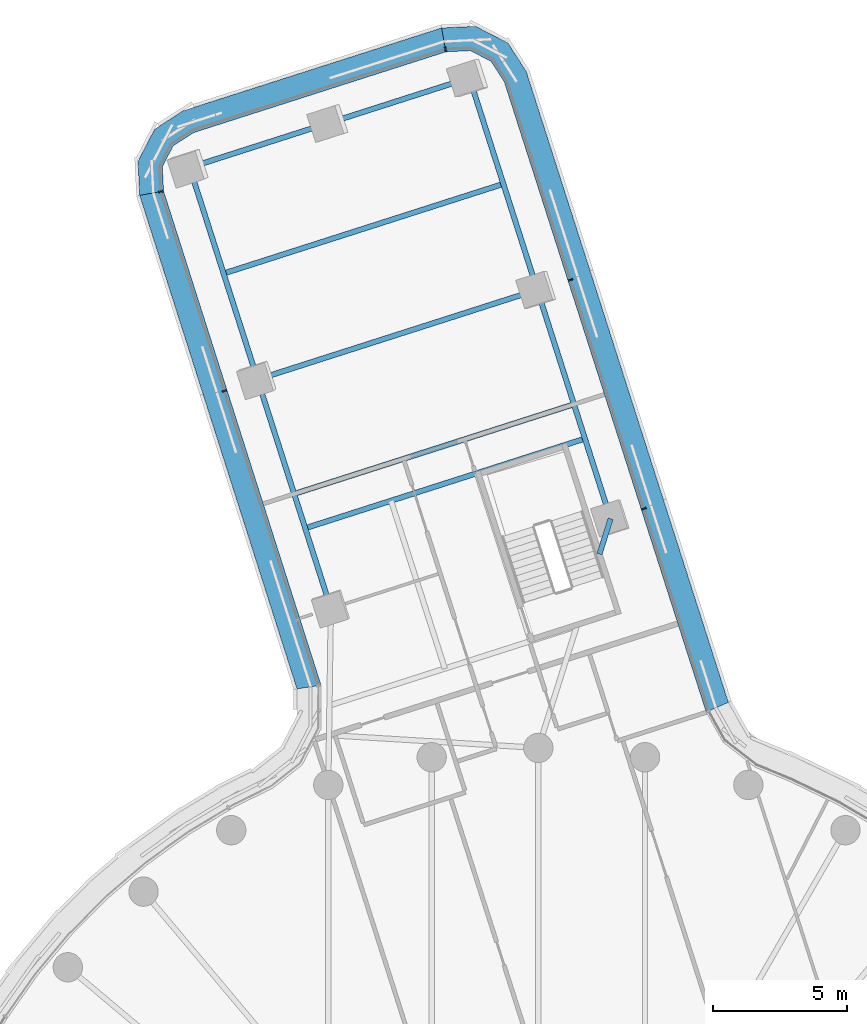
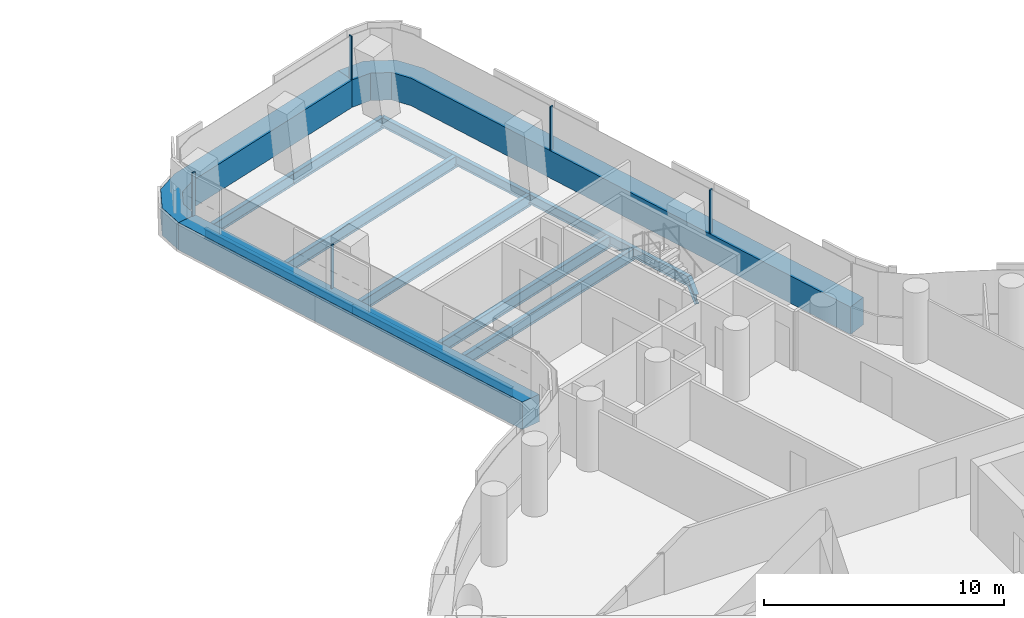
# One storey, part 15 of 30: 11 beams, 8 members, 3 elements without a shape of their own.
"""IFC4 building model written with IfcOpenShell, lengths in metres."""

from ifc_helpers import new_model, si_unit, direction, frame, origin, origin_2d, place, context, subcontext, project, spatial, polyline, rectangle, i_section, outline, extrude, material, layer, layer_set, material_profile, profile_set, type_object, element, aggregate, save


model = new_model("IFC4")

# Units and contexts
model_context = context("Model", 3, precision=1e-05, world=origin(), true_north=direction((0.0, 1.0)))
body_context = subcontext(model_context, "Body", "Model", "MODEL_VIEW")
ifc_project = project(units=[si_unit("LENGTHUNIT", "METRE"), si_unit("AREAUNIT", "SQUARE_METRE"), si_unit("VOLUMEUNIT", "CUBIC_METRE"), si_unit("PLANEANGLEUNIT", "RADIAN"), si_unit("MASSUNIT", "GRAM", prefix="KILO")], contexts=[model_context])

# Site, building, storey
site_placement = place(None, origin())
site = spatial("IfcSite", under=ifc_project, at=site_placement, CompositionType="ELEMENT")
building_placement = place(site_placement, origin())
building = spatial("IfcBuilding", under=site, at=building_placement, Name="Tamarind Cross Interchange Tower", CompositionType="ELEMENT")
storey_placement = place(building_placement, frame((0.0, 0.0, 98.5)))
storey = spatial("IfcBuildingStorey", under=building, at=storey_placement, Name="L23", CompositionType="ELEMENT", Elevation=98.5)

# Beams
ifc_material_1 = material(Name="Steel Q355B", Category="steel")
ifc_material_profile_1 = material_profile(ifc_material_1, i_section(OverallWidth=0.198974609375, OverallDepth=0.49609375, WebThickness=0.009033203125, FlangeThickness=0.013916015625, FilletRadius=0.012939453125, at=origin_2d()), Name="HN 496x199x9x14")
ifc_profile_set_1 = profile_set([ifc_material_profile_1], Name="Steel Q355B")
beam_type_1 = type_object("IfcBeamType", Name="Composite beam HN 496x199x9x14 Q355B", PredefinedType="BEAM", material=ifc_profile_set_1)
beam_1_placement = place(storey_placement, frame((-2.581298828125, 48.087890625, -0.387939453125), z_axis=(0.305059586692, -0.952333265495, 0.0), x_axis=(0.952333265495, 0.305059586692, 0.0)))
element("IfcBeam", 1, at=beam_1_placement, inside=storey, type_object=beam_type_1, Name="Beam N-edgeem5", PredefinedType="BEAM", context=body_context, shape_type="SweptSolid", body=[
    extrude(i_section(OverallWidth=0.198974609375, OverallDepth=0.49609375, WebThickness=0.009033203125, FlangeThickness=0.013916015625, FilletRadius=0.012939453125, at=origin_2d()), origin(), (0.0, 0.0, 1.0), 8.33203125),
])
beam_2_placement = place(storey_placement, frame((-0.03955078125, 40.153076171875, -0.387939453125), z_axis=(0.305048367314, -0.952336859309, 0.0), x_axis=(0.952336859309, 0.305048367314, 0.0)))
element("IfcBeam", 2, at=beam_2_placement, inside=storey, type_object=beam_type_1, Name="Beam N-edgeem6", PredefinedType="BEAM", context=body_context, shape_type="SweptSolid", body=[
    extrude(i_section(OverallWidth=0.198974609375, OverallDepth=0.49609375, WebThickness=0.009033203125, FlangeThickness=0.013916015625, FilletRadius=0.012939453125, at=origin_2d()), origin(), (0.0, 0.0, 1.0), 8.999755859375),
])
beam_3_placement = place(storey_placement, frame((-13.05712890625, 44.732421875, -0.387939453125), z_axis=(0.305059586692, -0.952333265495, 0.0), x_axis=(0.952333265495, 0.305059586692, 0.0)))
element("IfcBeam", 3, at=beam_3_placement, inside=storey, type_object=beam_type_1, Name="Beam N-edgeep2", PredefinedType="BEAM", context=body_context, shape_type="SweptSolid", body=[
    extrude(i_section(OverallWidth=0.198974609375, OverallDepth=0.49609375, WebThickness=0.009033203125, FlangeThickness=0.013916015625, FilletRadius=0.012939453125, at=origin_2d()), origin(), (0.0, 0.0, 1.0), 8.33203125),
])
beam_4_placement = place(storey_placement, frame((-10.515380859375, 36.797607421875, -0.387939453125), z_axis=(0.305065089063, -0.95233150291, 0.0), x_axis=(0.95233150291, 0.305065089063, 0.0)))
element("IfcBeam", 4, at=beam_4_placement, inside=storey, type_object=beam_type_1, Name="Beam N-edgeep3", PredefinedType="BEAM", context=body_context, shape_type="SweptSolid", body=[
    extrude(i_section(OverallWidth=0.198974609375, OverallDepth=0.49609375, WebThickness=0.009033203125, FlangeThickness=0.013916015625, FilletRadius=0.012939453125, at=origin_2d()), origin(), (0.0, 0.0, 1.0), 9.0),
])
beam_5_placement = place(storey_placement, frame((2.705810546875, 31.582275390625, -0.387939453125), z_axis=(-0.300701370295, -0.953718347261, 0.0), x_axis=(0.953718347261, -0.300701370295, 0.0)))
element("IfcBeam", 5, at=beam_5_placement, inside=storey, type_object=beam_type_1, Name="Beam N-linkemt0", PredefinedType="BEAM", context=body_context, shape_type="SweptSolid", body=[
    extrude(i_section(OverallWidth=0.198974609375, OverallDepth=0.49609375, WebThickness=0.009033203125, FlangeThickness=0.013916015625, FilletRadius=0.012939453125, at=origin_2d()), origin(), (0.0, 0.0, 1.0), 1.385986328125),
])
ifc_material_profile_2 = material_profile(ifc_material_1, i_section(OverallWidth=0.199951171875, OverallDepth=0.60009765625, WebThickness=0.010986328125, FlangeThickness=0.01708984375, FilletRadius=0.012939453125, at=origin_2d()), Name="HN 600x200x11x17")
ifc_profile_set_2 = profile_set([ifc_material_profile_2], Name="Steel Q355B")
beam_type_2 = type_object("IfcBeamType", Name="Composite beam HN 600x200x11x17 Q355B", PredefinedType="BEAM", material=ifc_profile_set_2)
beam_6_placement = place(storey_placement, frame((-2.581298828125, 48.087890625, -0.43994140625), z_axis=(-0.952337519773, -0.305046305392, 0.0), x_axis=(0.305046305392, -0.952337519773, 0.0)))
element("IfcBeam", 6, at=beam_6_placement, inside=storey, type_object=beam_type_2, Name="Beam N-tip0", PredefinedType="BEAM", context=body_context, shape_type="SweptSolid", body=[
    extrude(i_section(OverallWidth=0.199951171875, OverallDepth=0.60009765625, WebThickness=0.010986328125, FlangeThickness=0.01708984375, FilletRadius=0.012939453125, at=origin_2d()), origin(), (0.0, 0.0, 1.0), 5.5),
])
beam_7_placement = place(storey_placement, frame((-7.819091796875, 46.41015625, -0.43994140625), z_axis=(-0.95234165012, -0.305033410376, 0.0), x_axis=(0.305033410376, -0.95234165012, 0.0)))
element("IfcBeam", 7, at=beam_7_placement, inside=storey, type_object=beam_type_2, Name="Beam N-tip1", PredefinedType="BEAM", context=body_context, shape_type="SweptSolid", body=[
    extrude(i_section(OverallWidth=0.199951171875, OverallDepth=0.60009765625, WebThickness=0.010986328125, FlangeThickness=0.01708984375, FilletRadius=0.012939453125, at=origin_2d()), origin(), (0.0, 0.0, 1.0), 5.500244140625),
])
for number, where, z_axis, x_axis, name in (
    (8, (1.744873046875, 34.58203125, -0.43994140625), (-0.952331071837, -0.305066434754, 0.0), (0.305066434754, -0.952331071837, 0.0), "Beam N-x334"),
    (9, (-0.03955078125, 40.153076171875, -0.43994140625), (-0.952339585012, -0.305039857755, 0.0), (0.305039857755, -0.952339585012, 0.0), "Beam N-x393"),
    (10, (1.3330078125, 35.86767578125, -0.43994140625), (-0.952331071837, -0.305066434754, 0.0), (0.305066434754, -0.952331071837, 0.0), "Beam N-x348"),
    (11, (-1.310546875, 44.12060546875, -0.43994140625), (-0.952331071837, -0.305066434754, 0.0), (0.305066434754, -0.952331071837, 0.0), "Beam N-x435"),
):
    element("IfcBeam", number, at=place(storey_placement, frame(where, z_axis=z_axis, x_axis=x_axis)), inside=storey, type_object=beam_type_2, Name=name, PredefinedType="BEAM", context=body_context, shape_type="SweptSolid", body=[
        extrude(i_section(OverallWidth=0.199951171875, OverallDepth=0.60009765625, WebThickness=0.010986328125, FlangeThickness=0.01708984375, FilletRadius=0.012939453125, at=origin_2d()), origin(), (0.0, 0.0, 1.0), 11.0),
    ])

# Curtain wall, member
ifc_material_2 = material(Name="Aluminium 6063-T6", Category="aluminium")
ifc_layer = layer(ifc_material_2, 0.159912109375)
ifc_layer_set = layer_set([ifc_layer], Name="Aluminium 6063-T6")
curtain_wall_type = type_object("IfcCurtainWallType", Name="Office curtain wall, 9.0 m bays", PredefinedType="NOTDEFINED", material=ifc_layer_set)
curtain_wall_1_placement = place(storey_placement, origin())
curtain_wall_1 = element("IfcCurtainWall", 12, at=curtain_wall_1_placement, inside=storey, type_object=curtain_wall_type, Name="CWS-L23-03", PredefinedType="NOTDEFINED")
ifc_material_3 = material(Name="Aluminium and insulated spandrel panel", Category="aluminium")
member_type_1 = type_object("IfcMemberType", Name="Floor-edge blade transom", PredefinedType="USERDEFINED", material=ifc_material_3)
member_1_placement = place(storey_placement, origin())
member_1 = element("IfcMember", 13, at=member_1_placement, type_object=member_type_1, Name="CWT-L23-03", ObjectType="TRANSOM", PredefinedType="USERDEFINED", context=body_context, shape_type="SweptSolid", body=[
    extrude(outline(polyline([(6.284912109375, 24.342529296875), (-1.27392578125, 47.940185546875), (-1.769287109375, 48.7099609375), (-2.546875, 49.1103515625), (-3.461181640625, 49.066162109375), (-3.623046875, 49.95947265625), (-2.349365234375, 50.020751953125), (-1.14306640625, 49.39990234375), (-0.453125, 48.32763671875), (7.1142578125, 24.7041015625), (6.284912109375, 24.342529296875)])), origin(), (0.0, 0.0, 1.0), 1.39990234375),
])

curtain_wall_2_placement = place(storey_placement, origin())
curtain_wall_2 = element("IfcCurtainWall", 14, at=curtain_wall_2_placement, inside=storey, type_object=curtain_wall_type, Name="CWS-L23-04", PredefinedType="NOTDEFINED")
member_2_placement = place(storey_placement, origin())
member_2 = element("IfcMember", 15, at=member_2_placement, type_object=member_type_1, Name="CWT-L23-04", ObjectType="TRANSOM", PredefinedType="USERDEFINED", context=body_context, shape_type="SweptSolid", body=[
    extrude(outline(polyline([(-3.461181640625, 49.066162109375), (-12.909423828125, 46.039794921875), (-13.67919921875, 45.54443359375), (-14.079345703125, 44.766845703125), (-14.03515625, 43.852294921875), (-14.928466796875, 43.691162109375), (-14.989990234375, 44.96435546875), (-14.368896484375, 46.170654296875), (-13.296630859375, 46.860595703125), (-3.623046875, 49.95947265625), (-3.461181640625, 49.066162109375)])), origin(), (0.0, 0.0, 1.0), 1.39990234375),
])

curtain_wall_3_placement = place(storey_placement, origin())
curtain_wall_3 = element("IfcCurtainWall", 16, at=curtain_wall_3_placement, inside=storey, type_object=curtain_wall_type, Name="CWS-L23-05", PredefinedType="NOTDEFINED")
member_3_placement = place(storey_placement, origin())
member_3 = element("IfcMember", 17, at=member_3_placement, type_object=member_type_1, Name="CWT-L23-05", ObjectType="TRANSOM", PredefinedType="USERDEFINED", context=body_context, shape_type="SweptSolid", body=[
    extrude(outline(polyline([(-14.03515625, 43.852294921875), (-8.137451171875, 25.348388671875), (-9.037353515625, 25.20849609375), (-14.928466796875, 43.691162109375), (-14.03515625, 43.852294921875)])), origin(), (0.0, 0.0, 1.0), 1.39990234375),
])

# Member
ifc_material_profile_3 = material_profile(ifc_material_2, rectangle(XDim=0.06005859375, YDim=0.159912109375, at=origin_2d()), Name="Mullion CW1")
ifc_profile_set_3 = profile_set([ifc_material_profile_3], Name="Aluminium 6063-T6")
member_type_2 = type_object("IfcMemberType", Name="Mullion CW1", PredefinedType="MULLION", material=ifc_profile_set_3)
member_4_placement = place(storey_placement, frame((3.95068359375, 31.95751953125, 1.39990234375), z_axis=(0.0, 0.0, 1.0), x_axis=(-0.305057113111, 0.95233405785, 0.0)))
member_4 = element("IfcMember", 18, at=member_4_placement, type_object=member_type_2, Name="CWM-L23-03-01", PredefinedType="MULLION", context=body_context, shape_type="SweptSolid", body=[
    extrude(rectangle(XDim=0.06005859375, YDim=0.159912109375, at=origin_2d()), origin(), (0.0, 0.0, 1.0), 2.210205078125),
])

member_5_placement = place(storey_placement, frame((1.205810546875, 40.526611328125, 1.39990234375), z_axis=(0.0, 0.0, 1.0), x_axis=(-0.305057113111, 0.95233405785, 0.0)))
member_5 = element("IfcMember", 19, at=member_5_placement, type_object=member_type_2, Name="CWM-L23-03-02", PredefinedType="MULLION", context=body_context, shape_type="SweptSolid", body=[
    extrude(rectangle(XDim=0.06005859375, YDim=0.159912109375, at=origin_2d()), origin(), (0.0, 0.0, 1.0), 2.210205078125),
])

aggregate(curtain_wall_1, [member_4, member_5, member_1])

member_6_placement = place(storey_placement, frame((-3.479248046875, 49.16552734375, 1.39990234375), z_axis=(0.0, 0.0, 1.0), x_axis=(-0.98400465135, -0.178142768927, 0.0)))
member_6 = element("IfcMember", 20, at=member_6_placement, type_object=member_type_2, Name="CWM-L23-04-00", PredefinedType="MULLION", context=body_context, shape_type="SweptSolid", body=[
    extrude(rectangle(XDim=0.06005859375, YDim=0.159912109375, at=origin_2d()), origin(), (0.0, 0.0, 1.0), 2.210205078125),
])

aggregate(curtain_wall_2, [member_6, member_2])

member_7_placement = place(storey_placement, frame((-14.134521484375, 43.83447265625, 1.39990234375), z_axis=(0.0, 0.0, 1.0), x_axis=(0.177432761031, -0.984132925632, 0.0)))
member_7 = element("IfcMember", 21, at=member_7_placement, type_object=member_type_2, Name="CWM-L23-05-00", PredefinedType="MULLION", context=body_context, shape_type="SweptSolid", body=[
    extrude(rectangle(XDim=0.06005859375, YDim=0.159912109375, at=origin_2d()), origin(), (0.0, 0.0, 1.0), 2.210205078125),
])

member_8_placement = place(storey_placement, frame((-11.75537109375, 36.370361328125, 1.39990234375), z_axis=(0.0, 0.0, 1.0), x_axis=(0.303682573614, -0.952773264992, 0.0)))
member_8 = element("IfcMember", 22, at=member_8_placement, type_object=member_type_2, Name="CWM-L23-05-01", PredefinedType="MULLION", context=body_context, shape_type="SweptSolid", body=[
    extrude(rectangle(XDim=0.06005859375, YDim=0.159912109375, at=origin_2d()), origin(), (0.0, 0.0, 1.0), 2.210205078125),
])

aggregate(curtain_wall_3, [member_7, member_8, member_3])

save(model, "model.ifc")
